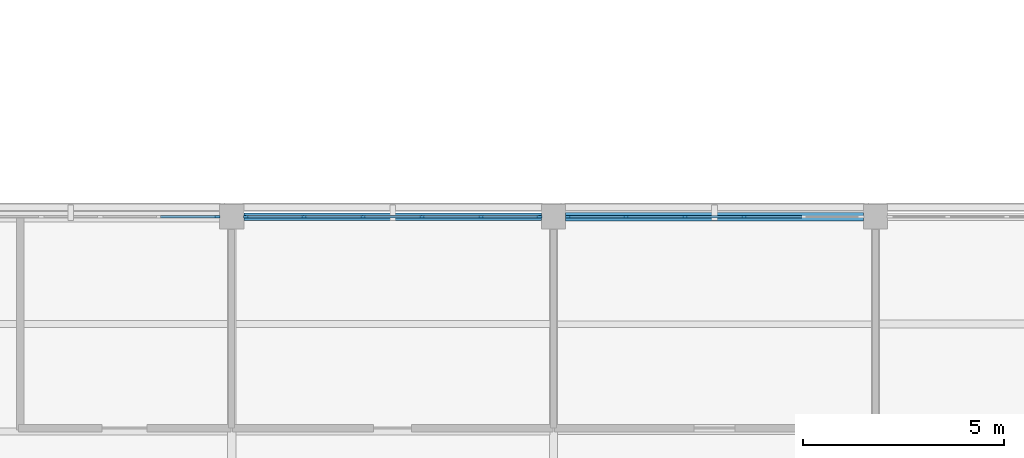
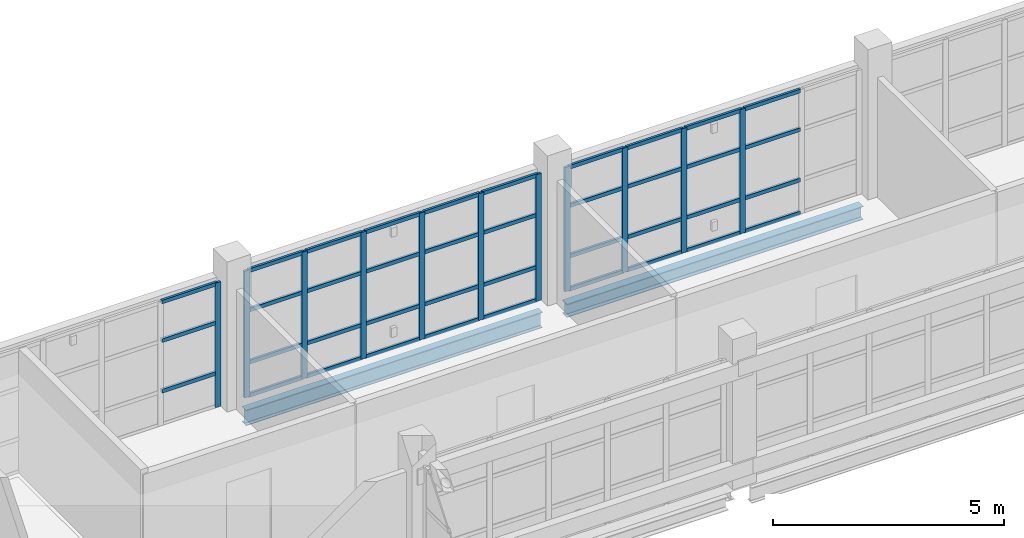
# One storey, part 16 of 126: 50 members, 2 beams, 3 elements without a shape of their own.
"""IFC4 building model written with IfcOpenShell, lengths in metres."""

from ifc_helpers import new_model, si_unit, derived_unit, direction, frame, origin, origin_2d, place, context, subcontext, project, spatial, rectangle, i_section, extrude, material, layer, layer_set, material_profile, profile_set, type_object, element, aggregate, save


model = new_model("IFC4")

# Units and contexts
model_context = context("Model", 3, precision=1e-05, world=origin(), true_north=direction((0.0, 1.0)))
body_context = subcontext(model_context, "Body", "Model", "MODEL_VIEW")
ifc_project = project(units=[si_unit("LENGTHUNIT", "METRE"), si_unit("AREAUNIT", "SQUARE_METRE"), si_unit("VOLUMEUNIT", "CUBIC_METRE"), si_unit("PLANEANGLEUNIT", "RADIAN"), si_unit("MASSUNIT", "GRAM", prefix="KILO"), derived_unit("THERMALTRANSMITTANCEUNIT", [(si_unit("MASSUNIT", "GRAM", prefix="KILO"), 1), (si_unit("TIMEUNIT", "SECOND"), -3), (si_unit("THERMODYNAMICTEMPERATUREUNIT", "KELVIN"), -1)])], contexts=[model_context])

# Site, building, storey
site_placement = place(None, origin())
site = spatial("IfcSite", under=ifc_project, at=site_placement, CompositionType="ELEMENT")
building_placement = place(site_placement, origin())
building = spatial("IfcBuilding", under=site, at=building_placement, Name="Veyamyaing Civic Hall", CompositionType="ELEMENT")
storey_placement = place(building_placement, frame((0.0, 0.0, 9.89990234375)))
storey = spatial("IfcBuildingStorey", under=building, at=storey_placement, Name="L02", CompositionType="ELEMENT", Elevation=9.89990234375)

# Beams
ifc_material_1 = material(Name="Steel ASTM A992", Category="steel")
ifc_material_profile_1 = material_profile(ifc_material_1, i_section(OverallWidth=0.179931640625, OverallDepth=0.4130859375, WebThickness=0.009765625, FlangeThickness=0.01611328125, FilletRadius=0.010009765625, at=origin_2d()), Name="W410X74")
ifc_profile_set_1 = profile_set([ifc_material_profile_1], Name="Steel ASTM A992")
beam_type_1 = type_object("IfcBeamType", Name="B-10", PredefinedType="SPANDREL", material=ifc_profile_set_1)
beam_1_placement = place(storey_placement, frame((16.300048828125, 56.0, -0.491455078125), z_axis=(1.0, 0.0, 0.0), x_axis=(0.0, 1.0, 0.0)))
element("IfcBeam", 1, at=beam_1_placement, inside=storey, type_object=beam_type_1, Name="Girder B-10 L02 Grid H 3-4", PredefinedType="SPANDREL", context=body_context, shape_type="SweptSolid", body=[
    extrude(i_section(OverallWidth=0.179931640625, OverallDepth=0.4130859375, WebThickness=0.009765625, FlangeThickness=0.01611328125, FilletRadius=0.010009765625, at=origin_2d()), origin(), (0.0, 0.0, 1.0), 7.39990234375),
])
ifc_material_profile_2 = material_profile(ifc_material_1, i_section(OverallWidth=0.2041015625, OverallDepth=0.35009765625, WebThickness=0.0078125, FlangeThickness=0.01513671875, FilletRadius=0.010009765625, at=origin_2d()), Name="W360X72")
ifc_profile_set_2 = profile_set([ifc_material_profile_2], Name="Steel ASTM A992")
beam_type_2 = type_object("IfcBeamType", Name="B-11", PredefinedType="SPANDREL", material=ifc_profile_set_2)
beam_2_placement = place(storey_placement, frame((24.300048828125, 56.0, -0.4599609375), z_axis=(1.0, 0.0, 0.0), x_axis=(0.0, 1.0, 0.0)))
element("IfcBeam", 2, at=beam_2_placement, inside=storey, type_object=beam_type_2, Name="Girder B-11 L02 Grid H 4-5", PredefinedType="SPANDREL", context=body_context, shape_type="SweptSolid", body=[
    extrude(i_section(OverallWidth=0.2041015625, OverallDepth=0.35009765625, WebThickness=0.0078125, FlangeThickness=0.01513671875, FilletRadius=0.010009765625, at=origin_2d()), origin(), (0.0, 0.0, 1.0), 7.39990234375),
])

# Curtain wall, member
ifc_material_2 = material(Name="Anodised aluminium 6063-T6", Category="aluminium")
ifc_layer = layer(ifc_material_2, 0.139892578125, Name="Anodised aluminium 6063-T6")
ifc_layer_set = layer_set([ifc_layer], Name="Anodised aluminium 6063-T6")
curtain_wall_type = type_object("IfcCurtainWallType", Name="CW-04", PredefinedType="NOTDEFINED", material=ifc_layer_set)
curtain_wall_1_placement = place(storey_placement, origin())
curtain_wall_1 = element("IfcCurtainWall", 3, at=curtain_wall_1_placement, inside=storey, type_object=curtain_wall_type, Name="Unitized curtain wall CW-04 L02 N 2.7", PredefinedType="NOTDEFINED")
ifc_material_profile_3 = material_profile(ifc_material_2, rectangle(XDim=0.06005859375, YDim=0.139892578125, at=origin_2d()), Name="ALU-MUL-60X140")
ifc_profile_set_3 = profile_set([ifc_material_profile_3], Name="Anodised aluminium 6063-T6")
member_type_1 = type_object("IfcMemberType", Name="CWM-03", PredefinedType="MULLION", material=ifc_profile_set_3)
member_1_placement = place(storey_placement, frame((15.639892578125, 56.0, 0.0), z_axis=(0.0, 0.0, 1.0), x_axis=(0.0, 1.0, 0.0)))
member_1 = element("IfcMember", 4, at=member_1_placement, type_object=member_type_1, Name="CW-04 mullion 6", PredefinedType="MULLION", context=body_context, shape_type="SweptSolid", body=[
    extrude(rectangle(XDim=0.06005859375, YDim=0.139892578125, at=origin_2d()), origin(), (0.0, 0.0, 1.0), 3.2841796875),
])

# Curtain wall, members
curtain_wall_2_placement = place(storey_placement, origin())
curtain_wall_2 = element("IfcCurtainWall", 5, at=curtain_wall_2_placement, inside=storey, type_object=curtain_wall_type, Name="Unitized curtain wall CW-04 L02 N 3.7", PredefinedType="NOTDEFINED")
member_2_placement = place(storey_placement, frame((16.360107421875, 56.0, 0.0), z_axis=(0.0, 0.0, 1.0), x_axis=(0.0, 1.0, 0.0)))
member_2 = element("IfcMember", 6, at=member_2_placement, type_object=member_type_1, Name="CW-04 mullion 1", PredefinedType="MULLION", context=body_context, shape_type="SweptSolid", body=[
    extrude(rectangle(XDim=0.06005859375, YDim=0.139892578125, at=origin_2d()), origin(), (0.0, 0.0, 1.0), 3.34716796875),
])
member_3_placement = place(storey_placement, frame((17.798095703125, 56.0, 0.0), z_axis=(0.0, 0.0, 1.0), x_axis=(0.0, 1.0, 0.0)))
member_3 = element("IfcMember", 7, at=member_3_placement, type_object=member_type_1, Name="CW-04 mullion 2", PredefinedType="MULLION", context=body_context, shape_type="SweptSolid", body=[
    extrude(rectangle(XDim=0.06005859375, YDim=0.139892578125, at=origin_2d()), origin(), (0.0, 0.0, 1.0), 3.34716796875),
])
member_4_placement = place(storey_placement, frame((19.26611328125, 56.0, 0.0), z_axis=(0.0, 0.0, 1.0), x_axis=(0.0, 1.0, 0.0)))
member_4 = element("IfcMember", 8, at=member_4_placement, type_object=member_type_1, Name="CW-04 mullion 3", PredefinedType="MULLION", context=body_context, shape_type="SweptSolid", body=[
    extrude(rectangle(XDim=0.06005859375, YDim=0.139892578125, at=origin_2d()), origin(), (0.0, 0.0, 1.0), 3.34716796875),
])
member_5_placement = place(storey_placement, frame((20.73388671875, 56.0, 0.0), z_axis=(0.0, 0.0, 1.0), x_axis=(0.0, 1.0, 0.0)))
member_5 = element("IfcMember", 9, at=member_5_placement, type_object=member_type_1, Name="CW-04 mullion 4", PredefinedType="MULLION", context=body_context, shape_type="SweptSolid", body=[
    extrude(rectangle(XDim=0.06005859375, YDim=0.139892578125, at=origin_2d()), origin(), (0.0, 0.0, 1.0), 3.34716796875),
])
member_6_placement = place(storey_placement, frame((22.201904296875, 56.0, 0.0), z_axis=(0.0, 0.0, 1.0), x_axis=(0.0, 1.0, 0.0)))
member_6 = element("IfcMember", 10, at=member_6_placement, type_object=member_type_1, Name="CW-04 mullion 5", PredefinedType="MULLION", context=body_context, shape_type="SweptSolid", body=[
    extrude(rectangle(XDim=0.06005859375, YDim=0.139892578125, at=origin_2d()), origin(), (0.0, 0.0, 1.0), 3.34716796875),
])
member_7_placement = place(storey_placement, frame((23.639892578125, 56.0, 0.0), z_axis=(0.0, 0.0, 1.0), x_axis=(0.0, 1.0, 0.0)))
member_7 = element("IfcMember", 11, at=member_7_placement, type_object=member_type_1, Name="CW-04 mullion 6", PredefinedType="MULLION", context=body_context, shape_type="SweptSolid", body=[
    extrude(rectangle(XDim=0.06005859375, YDim=0.139892578125, at=origin_2d()), origin(), (0.0, 0.0, 1.0), 3.34716796875),
])

curtain_wall_3_placement = place(storey_placement, origin())
curtain_wall_3 = element("IfcCurtainWall", 12, at=curtain_wall_3_placement, inside=storey, type_object=curtain_wall_type, Name="Unitized curtain wall CW-04 L02 N 4.7", PredefinedType="NOTDEFINED")
member_8_placement = place(storey_placement, frame((24.360107421875, 56.0, 0.0), z_axis=(0.0, 0.0, 1.0), x_axis=(0.0, 1.0, 0.0)))
member_8 = element("IfcMember", 13, at=member_8_placement, type_object=member_type_1, Name="CW-04 mullion 1", PredefinedType="MULLION", context=body_context, shape_type="SweptSolid", body=[
    extrude(rectangle(XDim=0.06005859375, YDim=0.139892578125, at=origin_2d()), origin(), (0.0, 0.0, 1.0), 3.280029296875),
])
member_9_placement = place(storey_placement, frame((25.798095703125, 56.0, 0.0), z_axis=(0.0, 0.0, 1.0), x_axis=(0.0, 1.0, 0.0)))
member_9 = element("IfcMember", 14, at=member_9_placement, type_object=member_type_1, Name="CW-04 mullion 2", PredefinedType="MULLION", context=body_context, shape_type="SweptSolid", body=[
    extrude(rectangle(XDim=0.06005859375, YDim=0.139892578125, at=origin_2d()), origin(), (0.0, 0.0, 1.0), 3.280029296875),
])
member_10_placement = place(storey_placement, frame((27.26611328125, 56.0, 0.0), z_axis=(0.0, 0.0, 1.0), x_axis=(0.0, 1.0, 0.0)))
member_10 = element("IfcMember", 15, at=member_10_placement, type_object=member_type_1, Name="CW-04 mullion 3", PredefinedType="MULLION", context=body_context, shape_type="SweptSolid", body=[
    extrude(rectangle(XDim=0.06005859375, YDim=0.139892578125, at=origin_2d()), origin(), (0.0, 0.0, 1.0), 3.280029296875),
])
member_11_placement = place(storey_placement, frame((28.73388671875, 56.0, 0.0), z_axis=(0.0, 0.0, 1.0), x_axis=(0.0, 1.0, 0.0)))
member_11 = element("IfcMember", 16, at=member_11_placement, type_object=member_type_1, Name="CW-04 mullion 4", PredefinedType="MULLION", context=body_context, shape_type="SweptSolid", body=[
    extrude(rectangle(XDim=0.06005859375, YDim=0.139892578125, at=origin_2d()), origin(), (0.0, 0.0, 1.0), 3.280029296875),
])

# Member
ifc_material_profile_4 = material_profile(ifc_material_2, rectangle(XDim=0.06005859375, YDim=0.10009765625, at=origin_2d()), Name="ALU-TRN-60X100")
ifc_profile_set_4 = profile_set([ifc_material_profile_4], Name="Anodised aluminium 6063-T6")
member_type_2 = type_object("IfcMemberType", Name="CWT-03", PredefinedType="USERDEFINED", material=ifc_profile_set_4)
member_12_placement = place(storey_placement, frame((14.23193359375, 56.0, 0.900146484375), z_axis=(1.0, 0.0, 0.0), x_axis=(0.0, 1.0, 0.0)))
member_12 = element("IfcMember", 17, at=member_12_placement, type_object=member_type_2, Name="CW-04 transom 5.2", ObjectType="TRANSOM", PredefinedType="USERDEFINED", context=body_context, shape_type="SweptSolid", body=[
    extrude(rectangle(XDim=0.06005859375, YDim=0.10009765625, at=origin_2d()), origin(), (0.0, 0.0, 1.0), 1.378173828125),
])

member_13_placement = place(storey_placement, frame((14.23193359375, 56.0, 2.233154296875), z_axis=(1.0, 0.0, 0.0), x_axis=(0.0, 1.0, 0.0)))
member_13 = element("IfcMember", 18, at=member_13_placement, type_object=member_type_2, Name="CW-04 transom 5.3", ObjectType="TRANSOM", PredefinedType="USERDEFINED", context=body_context, shape_type="SweptSolid", body=[
    extrude(rectangle(XDim=0.06005859375, YDim=0.10009765625, at=origin_2d()), origin(), (0.0, 0.0, 1.0), 1.378173828125),
])

member_14_placement = place(storey_placement, frame((14.23193359375, 56.0, 3.254150390625), z_axis=(1.0, 0.0, 0.0), x_axis=(0.0, 1.0, 0.0)))
member_14 = element("IfcMember", 19, at=member_14_placement, type_object=member_type_2, Name="CW-04 transom 5.4", ObjectType="TRANSOM", PredefinedType="USERDEFINED", context=body_context, shape_type="SweptSolid", body=[
    extrude(rectangle(XDim=0.06005859375, YDim=0.10009765625, at=origin_2d()), origin(), (0.0, 0.0, 1.0), 1.378173828125),
])

aggregate(curtain_wall_1, [member_1, member_12, member_13, member_14])

member_15_placement = place(storey_placement, frame((16.389892578125, 56.0, 0.030029296875), z_axis=(1.0, 0.0, 0.0), x_axis=(0.0, 1.0, 0.0)))
member_15 = element("IfcMember", 20, at=member_15_placement, type_object=member_type_2, Name="CW-04 transom 1.1", ObjectType="TRANSOM", PredefinedType="USERDEFINED", context=body_context, shape_type="SweptSolid", body=[
    extrude(rectangle(XDim=0.06005859375, YDim=0.10009765625, at=origin_2d()), origin(), (0.0, 0.0, 1.0), 1.378173828125),
])

member_16_placement = place(storey_placement, frame((16.389892578125, 56.0, 0.900146484375), z_axis=(1.0, 0.0, 0.0), x_axis=(0.0, 1.0, 0.0)))
member_16 = element("IfcMember", 21, at=member_16_placement, type_object=member_type_2, Name="CW-04 transom 1.2", ObjectType="TRANSOM", PredefinedType="USERDEFINED", context=body_context, shape_type="SweptSolid", body=[
    extrude(rectangle(XDim=0.06005859375, YDim=0.10009765625, at=origin_2d()), origin(), (0.0, 0.0, 1.0), 1.378173828125),
])

member_17_placement = place(storey_placement, frame((16.389892578125, 56.0, 2.276123046875), z_axis=(1.0, 0.0, 0.0), x_axis=(0.0, 1.0, 0.0)))
member_17 = element("IfcMember", 22, at=member_17_placement, type_object=member_type_2, Name="CW-04 transom 1.3", ObjectType="TRANSOM", PredefinedType="USERDEFINED", context=body_context, shape_type="SweptSolid", body=[
    extrude(rectangle(XDim=0.06005859375, YDim=0.10009765625, at=origin_2d()), origin(), (0.0, 0.0, 1.0), 1.378173828125),
])

member_18_placement = place(storey_placement, frame((16.389892578125, 56.0, 3.317138671875), z_axis=(1.0, 0.0, 0.0), x_axis=(0.0, 1.0, 0.0)))
member_18 = element("IfcMember", 23, at=member_18_placement, type_object=member_type_2, Name="CW-04 transom 1.4", ObjectType="TRANSOM", PredefinedType="USERDEFINED", context=body_context, shape_type="SweptSolid", body=[
    extrude(rectangle(XDim=0.06005859375, YDim=0.10009765625, at=origin_2d()), origin(), (0.0, 0.0, 1.0), 1.378173828125),
])

member_19_placement = place(storey_placement, frame((17.827880859375, 56.0, 0.030029296875), z_axis=(1.0, 0.0, 0.0), x_axis=(0.0, 1.0, 0.0)))
member_19 = element("IfcMember", 24, at=member_19_placement, type_object=member_type_2, Name="CW-04 transom 2.1", ObjectType="TRANSOM", PredefinedType="USERDEFINED", context=body_context, shape_type="SweptSolid", body=[
    extrude(rectangle(XDim=0.06005859375, YDim=0.10009765625, at=origin_2d()), origin(), (0.0, 0.0, 1.0), 1.408203125),
])

member_20_placement = place(storey_placement, frame((17.827880859375, 56.0, 0.900146484375), z_axis=(1.0, 0.0, 0.0), x_axis=(0.0, 1.0, 0.0)))
member_20 = element("IfcMember", 25, at=member_20_placement, type_object=member_type_2, Name="CW-04 transom 2.2", ObjectType="TRANSOM", PredefinedType="USERDEFINED", context=body_context, shape_type="SweptSolid", body=[
    extrude(rectangle(XDim=0.06005859375, YDim=0.10009765625, at=origin_2d()), origin(), (0.0, 0.0, 1.0), 1.408203125),
])

member_21_placement = place(storey_placement, frame((17.827880859375, 56.0, 2.276123046875), z_axis=(1.0, 0.0, 0.0), x_axis=(0.0, 1.0, 0.0)))
member_21 = element("IfcMember", 26, at=member_21_placement, type_object=member_type_2, Name="CW-04 transom 2.3", ObjectType="TRANSOM", PredefinedType="USERDEFINED", context=body_context, shape_type="SweptSolid", body=[
    extrude(rectangle(XDim=0.06005859375, YDim=0.10009765625, at=origin_2d()), origin(), (0.0, 0.0, 1.0), 1.408203125),
])

member_22_placement = place(storey_placement, frame((17.827880859375, 56.0, 3.317138671875), z_axis=(1.0, 0.0, 0.0), x_axis=(0.0, 1.0, 0.0)))
member_22 = element("IfcMember", 27, at=member_22_placement, type_object=member_type_2, Name="CW-04 transom 2.4", ObjectType="TRANSOM", PredefinedType="USERDEFINED", context=body_context, shape_type="SweptSolid", body=[
    extrude(rectangle(XDim=0.06005859375, YDim=0.10009765625, at=origin_2d()), origin(), (0.0, 0.0, 1.0), 1.408203125),
])

member_23_placement = place(storey_placement, frame((19.2958984375, 56.0, 0.030029296875), z_axis=(1.0, 0.0, 0.0), x_axis=(0.0, 1.0, 0.0)))
member_23 = element("IfcMember", 28, at=member_23_placement, type_object=member_type_2, Name="CW-04 transom 3.1", ObjectType="TRANSOM", PredefinedType="USERDEFINED", context=body_context, shape_type="SweptSolid", body=[
    extrude(rectangle(XDim=0.06005859375, YDim=0.10009765625, at=origin_2d()), origin(), (0.0, 0.0, 1.0), 1.408203125),
])

member_24_placement = place(storey_placement, frame((19.2958984375, 56.0, 0.900146484375), z_axis=(1.0, 0.0, 0.0), x_axis=(0.0, 1.0, 0.0)))
member_24 = element("IfcMember", 29, at=member_24_placement, type_object=member_type_2, Name="CW-04 transom 3.2", ObjectType="TRANSOM", PredefinedType="USERDEFINED", context=body_context, shape_type="SweptSolid", body=[
    extrude(rectangle(XDim=0.06005859375, YDim=0.10009765625, at=origin_2d()), origin(), (0.0, 0.0, 1.0), 1.408203125),
])

member_25_placement = place(storey_placement, frame((19.2958984375, 56.0, 2.276123046875), z_axis=(1.0, 0.0, 0.0), x_axis=(0.0, 1.0, 0.0)))
member_25 = element("IfcMember", 30, at=member_25_placement, type_object=member_type_2, Name="CW-04 transom 3.3", ObjectType="TRANSOM", PredefinedType="USERDEFINED", context=body_context, shape_type="SweptSolid", body=[
    extrude(rectangle(XDim=0.06005859375, YDim=0.10009765625, at=origin_2d()), origin(), (0.0, 0.0, 1.0), 1.408203125),
])

member_26_placement = place(storey_placement, frame((19.2958984375, 56.0, 3.317138671875), z_axis=(1.0, 0.0, 0.0), x_axis=(0.0, 1.0, 0.0)))
member_26 = element("IfcMember", 31, at=member_26_placement, type_object=member_type_2, Name="CW-04 transom 3.4", ObjectType="TRANSOM", PredefinedType="USERDEFINED", context=body_context, shape_type="SweptSolid", body=[
    extrude(rectangle(XDim=0.06005859375, YDim=0.10009765625, at=origin_2d()), origin(), (0.0, 0.0, 1.0), 1.408203125),
])

member_27_placement = place(storey_placement, frame((20.763916015625, 56.0, 0.030029296875), z_axis=(1.0, 0.0, 0.0), x_axis=(0.0, 1.0, 0.0)))
member_27 = element("IfcMember", 32, at=member_27_placement, type_object=member_type_2, Name="CW-04 transom 4.1", ObjectType="TRANSOM", PredefinedType="USERDEFINED", context=body_context, shape_type="SweptSolid", body=[
    extrude(rectangle(XDim=0.06005859375, YDim=0.10009765625, at=origin_2d()), origin(), (0.0, 0.0, 1.0), 1.408203125),
])

member_28_placement = place(storey_placement, frame((20.763916015625, 56.0, 0.900146484375), z_axis=(1.0, 0.0, 0.0), x_axis=(0.0, 1.0, 0.0)))
member_28 = element("IfcMember", 33, at=member_28_placement, type_object=member_type_2, Name="CW-04 transom 4.2", ObjectType="TRANSOM", PredefinedType="USERDEFINED", context=body_context, shape_type="SweptSolid", body=[
    extrude(rectangle(XDim=0.06005859375, YDim=0.10009765625, at=origin_2d()), origin(), (0.0, 0.0, 1.0), 1.408203125),
])

member_29_placement = place(storey_placement, frame((20.763916015625, 56.0, 2.276123046875), z_axis=(1.0, 0.0, 0.0), x_axis=(0.0, 1.0, 0.0)))
member_29 = element("IfcMember", 34, at=member_29_placement, type_object=member_type_2, Name="CW-04 transom 4.3", ObjectType="TRANSOM", PredefinedType="USERDEFINED", context=body_context, shape_type="SweptSolid", body=[
    extrude(rectangle(XDim=0.06005859375, YDim=0.10009765625, at=origin_2d()), origin(), (0.0, 0.0, 1.0), 1.408203125),
])

member_30_placement = place(storey_placement, frame((20.763916015625, 56.0, 3.317138671875), z_axis=(1.0, 0.0, 0.0), x_axis=(0.0, 1.0, 0.0)))
member_30 = element("IfcMember", 35, at=member_30_placement, type_object=member_type_2, Name="CW-04 transom 4.4", ObjectType="TRANSOM", PredefinedType="USERDEFINED", context=body_context, shape_type="SweptSolid", body=[
    extrude(rectangle(XDim=0.06005859375, YDim=0.10009765625, at=origin_2d()), origin(), (0.0, 0.0, 1.0), 1.408203125),
])

member_31_placement = place(storey_placement, frame((22.23193359375, 56.0, 0.030029296875), z_axis=(1.0, 0.0, 0.0), x_axis=(0.0, 1.0, 0.0)))
member_31 = element("IfcMember", 36, at=member_31_placement, type_object=member_type_2, Name="CW-04 transom 5.1", ObjectType="TRANSOM", PredefinedType="USERDEFINED", context=body_context, shape_type="SweptSolid", body=[
    extrude(rectangle(XDim=0.06005859375, YDim=0.10009765625, at=origin_2d()), origin(), (0.0, 0.0, 1.0), 1.378173828125),
])

member_32_placement = place(storey_placement, frame((22.23193359375, 56.0, 0.900146484375), z_axis=(1.0, 0.0, 0.0), x_axis=(0.0, 1.0, 0.0)))
member_32 = element("IfcMember", 37, at=member_32_placement, type_object=member_type_2, Name="CW-04 transom 5.2", ObjectType="TRANSOM", PredefinedType="USERDEFINED", context=body_context, shape_type="SweptSolid", body=[
    extrude(rectangle(XDim=0.06005859375, YDim=0.10009765625, at=origin_2d()), origin(), (0.0, 0.0, 1.0), 1.378173828125),
])

member_33_placement = place(storey_placement, frame((22.23193359375, 56.0, 2.276123046875), z_axis=(1.0, 0.0, 0.0), x_axis=(0.0, 1.0, 0.0)))
member_33 = element("IfcMember", 38, at=member_33_placement, type_object=member_type_2, Name="CW-04 transom 5.3", ObjectType="TRANSOM", PredefinedType="USERDEFINED", context=body_context, shape_type="SweptSolid", body=[
    extrude(rectangle(XDim=0.06005859375, YDim=0.10009765625, at=origin_2d()), origin(), (0.0, 0.0, 1.0), 1.378173828125),
])

member_34_placement = place(storey_placement, frame((22.23193359375, 56.0, 3.317138671875), z_axis=(1.0, 0.0, 0.0), x_axis=(0.0, 1.0, 0.0)))
member_34 = element("IfcMember", 39, at=member_34_placement, type_object=member_type_2, Name="CW-04 transom 5.4", ObjectType="TRANSOM", PredefinedType="USERDEFINED", context=body_context, shape_type="SweptSolid", body=[
    extrude(rectangle(XDim=0.06005859375, YDim=0.10009765625, at=origin_2d()), origin(), (0.0, 0.0, 1.0), 1.378173828125),
])

aggregate(curtain_wall_2, [member_2, member_3, member_4, member_5, member_6, member_7, member_15, member_16, member_17, member_18, member_19, member_20, member_21, member_22, member_23, member_24, member_25, member_26, member_27, member_28, member_29, member_30, member_31, member_32, member_33, member_34])

member_35_placement = place(storey_placement, frame((24.389892578125, 56.0, 0.030029296875), z_axis=(1.0, 0.0, 0.0), x_axis=(0.0, 1.0, 0.0)))
member_35 = element("IfcMember", 40, at=member_35_placement, type_object=member_type_2, Name="CW-04 transom 1.1", ObjectType="TRANSOM", PredefinedType="USERDEFINED", context=body_context, shape_type="SweptSolid", body=[
    extrude(rectangle(XDim=0.06005859375, YDim=0.10009765625, at=origin_2d()), origin(), (0.0, 0.0, 1.0), 1.378173828125),
])

member_36_placement = place(storey_placement, frame((24.389892578125, 56.0, 0.900146484375), z_axis=(1.0, 0.0, 0.0), x_axis=(0.0, 1.0, 0.0)))
member_36 = element("IfcMember", 41, at=member_36_placement, type_object=member_type_2, Name="CW-04 transom 1.2", ObjectType="TRANSOM", PredefinedType="USERDEFINED", context=body_context, shape_type="SweptSolid", body=[
    extrude(rectangle(XDim=0.06005859375, YDim=0.10009765625, at=origin_2d()), origin(), (0.0, 0.0, 1.0), 1.378173828125),
])

member_37_placement = place(storey_placement, frame((24.389892578125, 56.0, 2.23046875), z_axis=(1.0, 0.0, 0.0), x_axis=(0.0, 1.0, 0.0)))
member_37 = element("IfcMember", 42, at=member_37_placement, type_object=member_type_2, Name="CW-04 transom 1.3", ObjectType="TRANSOM", PredefinedType="USERDEFINED", context=body_context, shape_type="SweptSolid", body=[
    extrude(rectangle(XDim=0.06005859375, YDim=0.10009765625, at=origin_2d()), origin(), (0.0, 0.0, 1.0), 1.378173828125),
])

member_38_placement = place(storey_placement, frame((24.389892578125, 56.0, 3.25), z_axis=(1.0, 0.0, 0.0), x_axis=(0.0, 1.0, 0.0)))
member_38 = element("IfcMember", 43, at=member_38_placement, type_object=member_type_2, Name="CW-04 transom 1.4", ObjectType="TRANSOM", PredefinedType="USERDEFINED", context=body_context, shape_type="SweptSolid", body=[
    extrude(rectangle(XDim=0.06005859375, YDim=0.10009765625, at=origin_2d()), origin(), (0.0, 0.0, 1.0), 1.378173828125),
])

member_39_placement = place(storey_placement, frame((25.827880859375, 56.0, 0.030029296875), z_axis=(1.0, 0.0, 0.0), x_axis=(0.0, 1.0, 0.0)))
member_39 = element("IfcMember", 44, at=member_39_placement, type_object=member_type_2, Name="CW-04 transom 2.1", ObjectType="TRANSOM", PredefinedType="USERDEFINED", context=body_context, shape_type="SweptSolid", body=[
    extrude(rectangle(XDim=0.06005859375, YDim=0.10009765625, at=origin_2d()), origin(), (0.0, 0.0, 1.0), 1.408203125),
])

member_40_placement = place(storey_placement, frame((25.827880859375, 56.0, 0.900146484375), z_axis=(1.0, 0.0, 0.0), x_axis=(0.0, 1.0, 0.0)))
member_40 = element("IfcMember", 45, at=member_40_placement, type_object=member_type_2, Name="CW-04 transom 2.2", ObjectType="TRANSOM", PredefinedType="USERDEFINED", context=body_context, shape_type="SweptSolid", body=[
    extrude(rectangle(XDim=0.06005859375, YDim=0.10009765625, at=origin_2d()), origin(), (0.0, 0.0, 1.0), 1.408203125),
])

member_41_placement = place(storey_placement, frame((25.827880859375, 56.0, 2.23046875), z_axis=(1.0, 0.0, 0.0), x_axis=(0.0, 1.0, 0.0)))
member_41 = element("IfcMember", 46, at=member_41_placement, type_object=member_type_2, Name="CW-04 transom 2.3", ObjectType="TRANSOM", PredefinedType="USERDEFINED", context=body_context, shape_type="SweptSolid", body=[
    extrude(rectangle(XDim=0.06005859375, YDim=0.10009765625, at=origin_2d()), origin(), (0.0, 0.0, 1.0), 1.408203125),
])

member_42_placement = place(storey_placement, frame((25.827880859375, 56.0, 3.25), z_axis=(1.0, 0.0, 0.0), x_axis=(0.0, 1.0, 0.0)))
member_42 = element("IfcMember", 47, at=member_42_placement, type_object=member_type_2, Name="CW-04 transom 2.4", ObjectType="TRANSOM", PredefinedType="USERDEFINED", context=body_context, shape_type="SweptSolid", body=[
    extrude(rectangle(XDim=0.06005859375, YDim=0.10009765625, at=origin_2d()), origin(), (0.0, 0.0, 1.0), 1.408203125),
])

member_43_placement = place(storey_placement, frame((27.2958984375, 56.0, 0.030029296875), z_axis=(1.0, 0.0, 0.0), x_axis=(0.0, 1.0, 0.0)))
member_43 = element("IfcMember", 48, at=member_43_placement, type_object=member_type_2, Name="CW-04 transom 3.1", ObjectType="TRANSOM", PredefinedType="USERDEFINED", context=body_context, shape_type="SweptSolid", body=[
    extrude(rectangle(XDim=0.06005859375, YDim=0.10009765625, at=origin_2d()), origin(), (0.0, 0.0, 1.0), 1.408203125),
])

member_44_placement = place(storey_placement, frame((27.2958984375, 56.0, 0.900146484375), z_axis=(1.0, 0.0, 0.0), x_axis=(0.0, 1.0, 0.0)))
member_44 = element("IfcMember", 49, at=member_44_placement, type_object=member_type_2, Name="CW-04 transom 3.2", ObjectType="TRANSOM", PredefinedType="USERDEFINED", context=body_context, shape_type="SweptSolid", body=[
    extrude(rectangle(XDim=0.06005859375, YDim=0.10009765625, at=origin_2d()), origin(), (0.0, 0.0, 1.0), 1.408203125),
])

member_45_placement = place(storey_placement, frame((27.2958984375, 56.0, 2.23046875), z_axis=(1.0, 0.0, 0.0), x_axis=(0.0, 1.0, 0.0)))
member_45 = element("IfcMember", 50, at=member_45_placement, type_object=member_type_2, Name="CW-04 transom 3.3", ObjectType="TRANSOM", PredefinedType="USERDEFINED", context=body_context, shape_type="SweptSolid", body=[
    extrude(rectangle(XDim=0.06005859375, YDim=0.10009765625, at=origin_2d()), origin(), (0.0, 0.0, 1.0), 1.408203125),
])

member_46_placement = place(storey_placement, frame((27.2958984375, 56.0, 3.25), z_axis=(1.0, 0.0, 0.0), x_axis=(0.0, 1.0, 0.0)))
member_46 = element("IfcMember", 51, at=member_46_placement, type_object=member_type_2, Name="CW-04 transom 3.4", ObjectType="TRANSOM", PredefinedType="USERDEFINED", context=body_context, shape_type="SweptSolid", body=[
    extrude(rectangle(XDim=0.06005859375, YDim=0.10009765625, at=origin_2d()), origin(), (0.0, 0.0, 1.0), 1.408203125),
])

member_47_placement = place(storey_placement, frame((28.763916015625, 56.0, 0.030029296875), z_axis=(1.0, 0.0, 0.0), x_axis=(0.0, 1.0, 0.0)))
member_47 = element("IfcMember", 52, at=member_47_placement, type_object=member_type_2, Name="CW-04 transom 4.1", ObjectType="TRANSOM", PredefinedType="USERDEFINED", context=body_context, shape_type="SweptSolid", body=[
    extrude(rectangle(XDim=0.06005859375, YDim=0.10009765625, at=origin_2d()), origin(), (0.0, 0.0, 1.0), 1.408203125),
])

member_48_placement = place(storey_placement, frame((28.763916015625, 56.0, 0.900146484375), z_axis=(1.0, 0.0, 0.0), x_axis=(0.0, 1.0, 0.0)))
member_48 = element("IfcMember", 53, at=member_48_placement, type_object=member_type_2, Name="CW-04 transom 4.2", ObjectType="TRANSOM", PredefinedType="USERDEFINED", context=body_context, shape_type="SweptSolid", body=[
    extrude(rectangle(XDim=0.06005859375, YDim=0.10009765625, at=origin_2d()), origin(), (0.0, 0.0, 1.0), 1.408203125),
])

member_49_placement = place(storey_placement, frame((28.763916015625, 56.0, 2.23046875), z_axis=(1.0, 0.0, 0.0), x_axis=(0.0, 1.0, 0.0)))
member_49 = element("IfcMember", 54, at=member_49_placement, type_object=member_type_2, Name="CW-04 transom 4.3", ObjectType="TRANSOM", PredefinedType="USERDEFINED", context=body_context, shape_type="SweptSolid", body=[
    extrude(rectangle(XDim=0.06005859375, YDim=0.10009765625, at=origin_2d()), origin(), (0.0, 0.0, 1.0), 1.408203125),
])

member_50_placement = place(storey_placement, frame((28.763916015625, 56.0, 3.25), z_axis=(1.0, 0.0, 0.0), x_axis=(0.0, 1.0, 0.0)))
member_50 = element("IfcMember", 55, at=member_50_placement, type_object=member_type_2, Name="CW-04 transom 4.4", ObjectType="TRANSOM", PredefinedType="USERDEFINED", context=body_context, shape_type="SweptSolid", body=[
    extrude(rectangle(XDim=0.06005859375, YDim=0.10009765625, at=origin_2d()), origin(), (0.0, 0.0, 1.0), 1.408203125),
])

aggregate(curtain_wall_3, [member_8, member_9, member_10, member_11, member_35, member_36, member_37, member_38, member_39, member_40, member_41, member_42, member_43, member_44, member_45, member_46, member_47, member_48, member_49, member_50])

save(model, "model.ifc")
